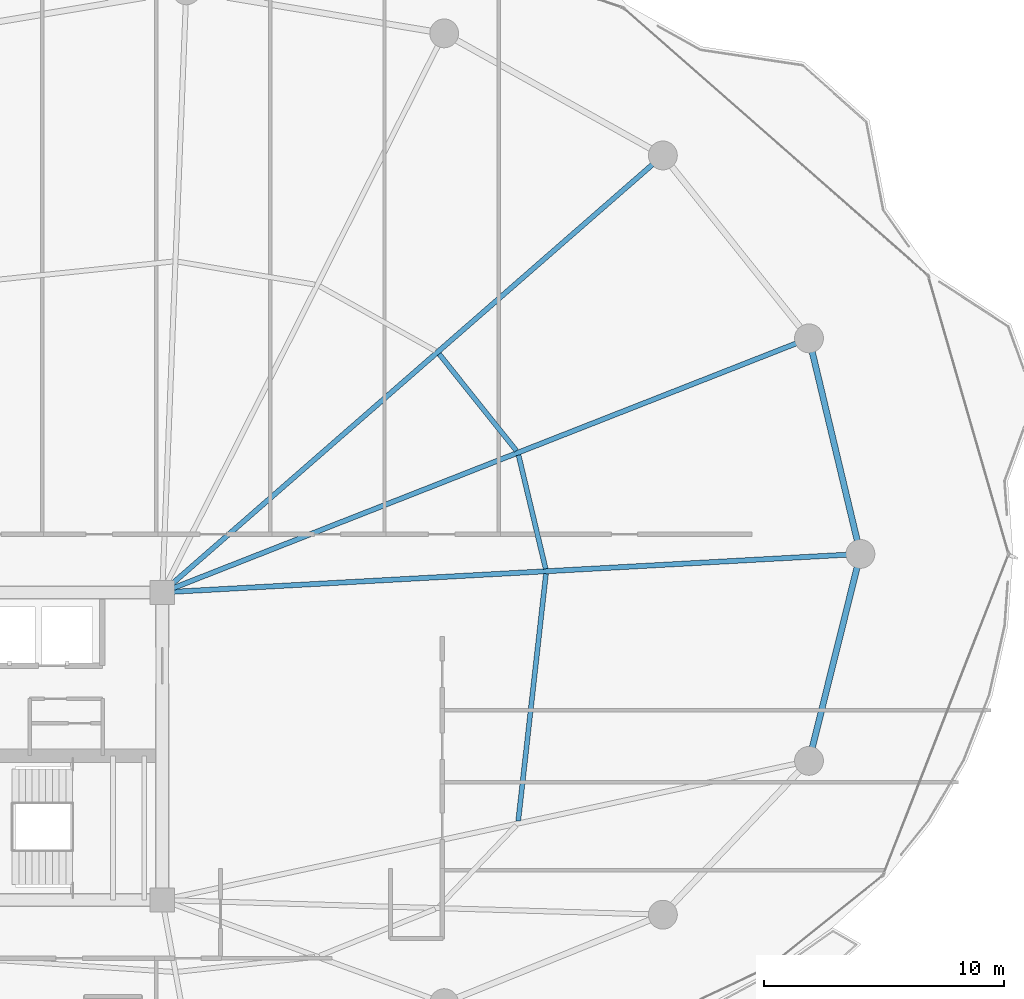
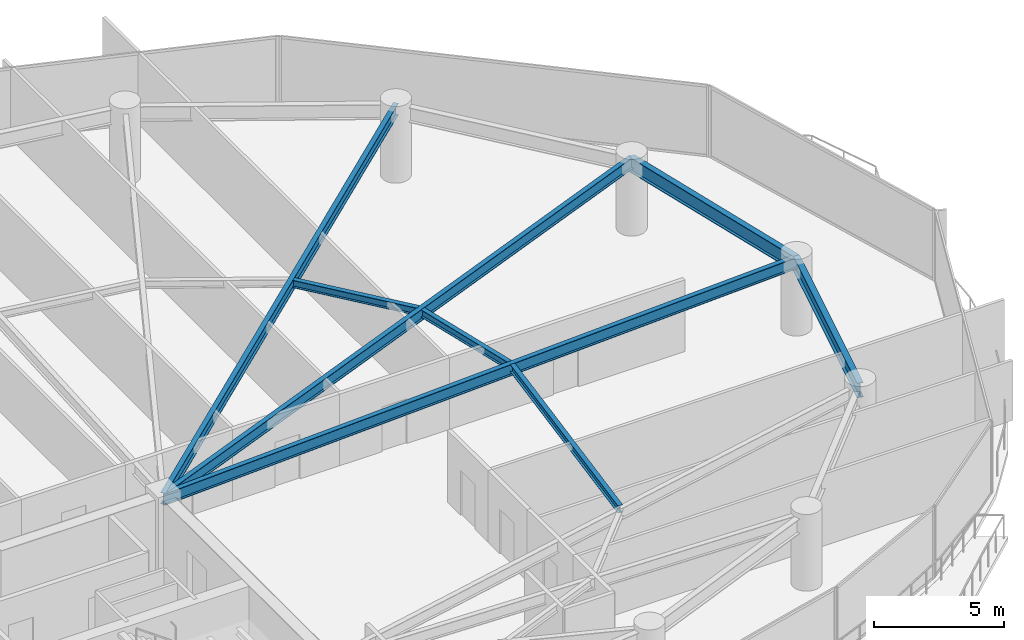
# One storey, part 16 of 34: 8 beams.
"""IFC4 building model written with IfcOpenShell, lengths in metres."""

from ifc_helpers import new_model, si_unit, direction, frame, origin, origin_2d, place, context, subcontext, project, spatial, i_section, extrude, material, material_profile, profile_set, type_object, element, save


model = new_model("IFC4")

# Units and contexts
model_context = context("Model", 3, precision=1e-05, world=origin(), true_north=direction((0.0, 1.0)))
body_context = subcontext(model_context, "Body", "Model", "MODEL_VIEW")
ifc_project = project(units=[si_unit("LENGTHUNIT", "METRE"), si_unit("AREAUNIT", "SQUARE_METRE"), si_unit("VOLUMEUNIT", "CUBIC_METRE"), si_unit("PLANEANGLEUNIT", "RADIAN"), si_unit("MASSUNIT", "GRAM", prefix="KILO")], contexts=[model_context])

# Site, building, storey
site_placement = place(None, origin())
site = spatial("IfcSite", under=ifc_project, at=site_placement, CompositionType="ELEMENT")
building_placement = place(site_placement, origin())
building = spatial("IfcBuilding", under=site, at=building_placement, Name="Kazevale Care Tower and Concert Hall", CompositionType="ELEMENT")
storey_placement = place(building_placement, frame((0.0, 0.0, 174.60009765625)))
storey = spatial("IfcBuildingStorey", under=building, at=storey_placement, Name="L46", CompositionType="ELEMENT", Elevation=174.60009765625)

# Beams
ifc_material = material(Name="Steel ASTM A572 Gr 50", Category="steel")
ifc_material_profile_1 = material_profile(ifc_material, i_section(OverallWidth=0.2119140625, OverallDepth=0.5439453125, WebThickness=0.01318359375, FlangeThickness=0.021240234375, at=origin_2d()), Name="W530x123")
ifc_profile_set_1 = profile_set([ifc_material_profile_1], Name="Steel ASTM A572 Gr 50")
beam_type_1 = type_object("IfcBeamType", Name="Radial Floor Girder W530x123", PredefinedType="BEAM", material=ifc_profile_set_1)
beam_1_placement = place(storey_placement, frame((44.0, 36.39990234375, 3.087890625), z_axis=(0.998486500016, 0.054997357076, 0.0), x_axis=(-0.054997357076, 0.998486500016, 0.0)))
element("IfcBeam", 1, at=beam_1_placement, inside=storey, type_object=beam_type_1, Name="beam:L46:rad:01", PredefinedType="BEAM", context=body_context, shape_type="SweptSolid", body=[
    extrude(i_section(OverallWidth=0.2119140625, OverallDepth=0.5439453125, WebThickness=0.01318359375, FlangeThickness=0.021240234375, at=origin_2d()), origin(), (0.0, 0.0, 1.0), 29.093994140625),
])
beam_2_placement = place(storey_placement, frame((44.0, 36.39990234375, 3.087890625), z_axis=(0.930771301513, 0.36560194786, 0.0), x_axis=(-0.36560194786, 0.930771301513, 0.0)))
element("IfcBeam", 2, at=beam_2_placement, inside=storey, type_object=beam_type_1, Name="beam:L46:rad:02", PredefinedType="BEAM", context=body_context, shape_type="SweptSolid", body=[
    extrude(i_section(OverallWidth=0.2119140625, OverallDepth=0.5439453125, WebThickness=0.01318359375, FlangeThickness=0.021240234375, at=origin_2d()), origin(), (0.0, 0.0, 1.0), 28.911376953125),
])
beam_3_placement = place(storey_placement, frame((44.0, 36.39990234375, 3.087890625), z_axis=(0.753403181998, 0.657558853149, 0.0), x_axis=(-0.657558853149, 0.753403181998, 0.0)))
element("IfcBeam", 3, at=beam_3_placement, inside=storey, type_object=beam_type_1, Name="beam:L46:rad:03", PredefinedType="BEAM", context=body_context, shape_type="SweptSolid", body=[
    extrude(i_section(OverallWidth=0.2119140625, OverallDepth=0.5439453125, WebThickness=0.01318359375, FlangeThickness=0.021240234375, at=origin_2d()), origin(), (0.0, 0.0, 1.0), 27.64794921875),
])
ifc_material_profile_2 = material_profile(ifc_material, i_section(OverallWidth=0.205078125, OverallDepth=0.35400390625, WebThickness=0.009521484375, FlangeThickness=0.016845703125, at=origin_2d()), Name="W360x79")
ifc_profile_set_2 = profile_set([ifc_material_profile_2], Name="Steel ASTM A572 Gr 50")
beam_type_2 = type_object("IfcBeamType", Name="Secondary Floor Joist W360x79", PredefinedType="JOIST", material=ifc_profile_set_2)
beam_4_placement = place(storey_placement, frame((59.952880859375, 37.382080078125, 3.182861328125), z_axis=(-0.232005223279, 0.972714540023, 0.0), x_axis=(-0.972714540023, -0.232005223279, 0.0)))
element("IfcBeam", 4, at=beam_4_placement, inside=storey, type_object=beam_type_2, Name="beam:L46:joist:01", PredefinedType="JOIST", context=body_context, shape_type="SweptSolid", body=[
    extrude(i_section(OverallWidth=0.205078125, OverallDepth=0.35400390625, WebThickness=0.009521484375, FlangeThickness=0.016845703125, at=origin_2d()), origin(), (0.0, 0.0, 1.0), 4.861572265625),
])
beam_5_placement = place(storey_placement, frame((58.735107421875, 42.2958984375, 3.182861328125), z_axis=(-0.624261115922, 0.781215757104, 0.0), x_axis=(-0.781215757104, -0.624261115922, 0.0)))
element("IfcBeam", 5, at=beam_5_placement, inside=storey, type_object=beam_type_2, Name="beam:L46:joist:02", PredefinedType="JOIST", context=body_context, shape_type="SweptSolid", body=[
    extrude(i_section(OverallWidth=0.205078125, OverallDepth=0.35400390625, WebThickness=0.009521484375, FlangeThickness=0.016845703125, at=origin_2d()), origin(), (0.0, 0.0, 1.0), 5.147216796875),
])
beam_6_placement = place(storey_placement, frame((58.81201171875, 26.888916015625, 3.182861328125), z_axis=(0.111485011105, 0.993766115491, 0.0), x_axis=(-0.993766115491, 0.111485011105, 0.0)))
element("IfcBeam", 6, at=beam_6_placement, inside=storey, type_object=beam_type_2, Name="beam:L46:joist:16", PredefinedType="JOIST", context=body_context, shape_type="SweptSolid", body=[
    extrude(i_section(OverallWidth=0.205078125, OverallDepth=0.35400390625, WebThickness=0.009521484375, FlangeThickness=0.016845703125, at=origin_2d()), origin(), (0.0, 0.0, 1.0), 10.3515625),
])
ifc_material_profile_3 = material_profile(ifc_material, i_section(OverallWidth=0.256103515625, OverallDepth=0.693115234375, WebThickness=0.014404296875, FlangeThickness=0.023681640625, at=origin_2d()), Name="W690x170")
ifc_profile_set_3 = profile_set([ifc_material_profile_3], Name="Steel ASTM A572 Gr 50")
beam_type_3 = type_object("IfcBeamType", Name="Waist Ring Beam W690x170", PredefinedType="BEAM", material=ifc_profile_set_3)
beam_7_placement = place(storey_placement, frame((73.050048828125, 38.0, 3.013427734375), z_axis=(-0.232075055882, 0.972697881378, 0.0), x_axis=(-0.972697881378, -0.232075055882, 0.0)))
element("IfcBeam", 7, at=beam_7_placement, inside=storey, type_object=beam_type_3, Name="beam:L46:ring:01", PredefinedType="BEAM", context=body_context, shape_type="SweptSolid", body=[
    extrude(i_section(OverallWidth=0.256103515625, OverallDepth=0.693115234375, WebThickness=0.014404296875, FlangeThickness=0.023681640625, at=origin_2d()), origin(), (0.0, 0.0, 1.0), 9.2216796875),
])
beam_8_placement = place(storey_placement, frame((70.909912109375, 29.389892578125, 3.013427734375), z_axis=(0.241221022882, 0.970470204653, 0.0), x_axis=(-0.970470204653, 0.241221022882, 0.0)))
element("IfcBeam", 8, at=beam_8_placement, inside=storey, type_object=beam_type_3, Name="beam:L46:ring:16", PredefinedType="BEAM", context=body_context, shape_type="SweptSolid", body=[
    extrude(i_section(OverallWidth=0.256103515625, OverallDepth=0.693115234375, WebThickness=0.014404296875, FlangeThickness=0.023681640625, at=origin_2d()), origin(), (0.0, 0.0, 1.0), 8.8720703125),
])

save(model, "model.ifc")
